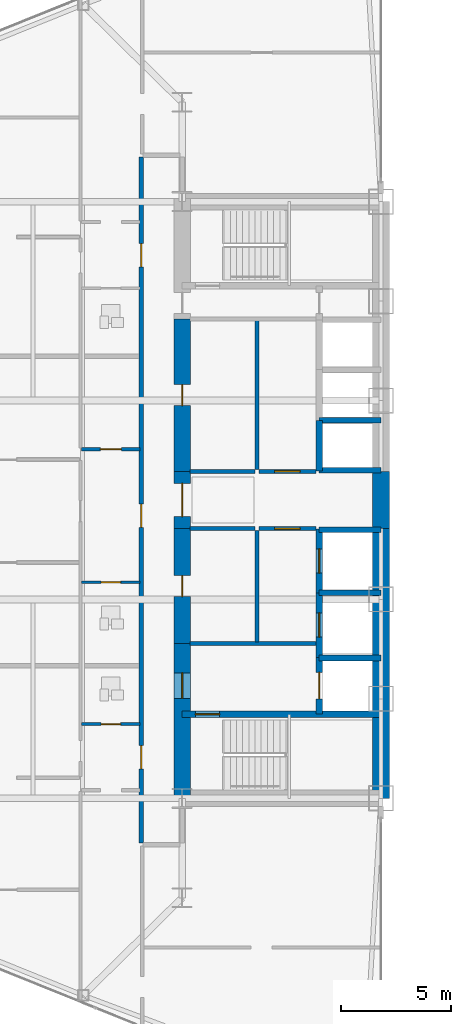
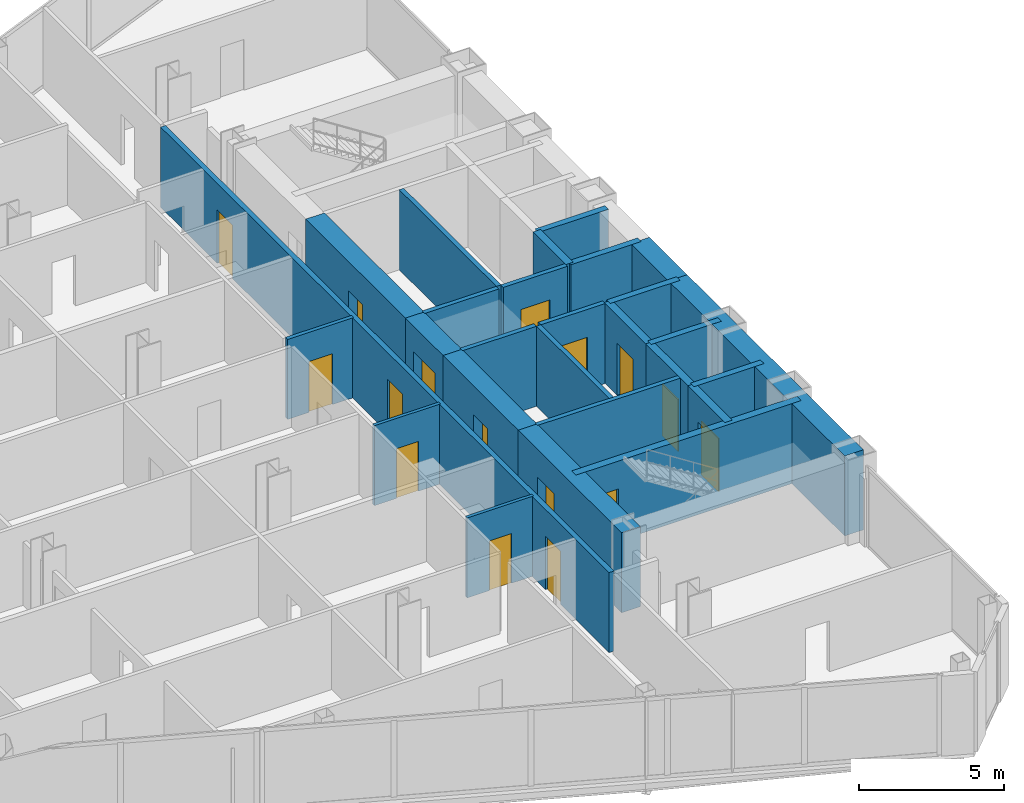
# One storey, part 18 of 25: 27 walls, 16 doors, 16 openings.
"""IFC4 building model written with IfcOpenShell, lengths in metres."""

import ifcopenshell
import ifcopenshell.guid

model = None  # the IFC model being written
_history = None  # IfcOwnerHistory: only IFC2X3 demands one
_inside = {}  # id of a spatial element -> (the spatial element, [elements in it])
_under = {}  # id of a project, library or spatial element -> (it, [spatial elements below it])
_declared = {}  # id of a project -> (the project, [libraries it declares])
_typed = {}  # id of a type object -> (the type object, [elements of that type])
_made_of = {}  # id of a material, layer set ... -> (it, [elements and type objects made of it])


def new_model(schema):
    """Start an empty IFC model of exactly this schema.

    Asked for "IFC4X3", IfcOpenShell would pick the latest addendum, in which some entities
    have other attributes; the version numbers below select the first issue.
    IFC2X3 requires an IfcOwnerHistory on every rooted entity: one is made here for all.
    """
    global model, _history
    if schema == "IFC4X3":
        model = ifcopenshell.file(schema_version=(4, 3, 0, 0))
    else:
        model = ifcopenshell.file(schema=schema)
    _inside.clear()
    _under.clear()
    _declared.clear()
    _typed.clear()
    _made_of.clear()
    _history = None
    if model.schema == "IFC2X3":
        org = make("IfcOrganization", Name="unknown")
        user = make(
            "IfcPersonAndOrganization",
            ThePerson=make("IfcPerson", FamilyName="unknown"),
            TheOrganization=org,
        )
        app = make(
            "IfcApplication",
            ApplicationDeveloper=org,
            Version="unknown",
            ApplicationFullName="unknown",
            ApplicationIdentifier="unknown",
        )
        _history = make(
            "IfcOwnerHistory",
            OwningUser=user,
            OwningApplication=app,
            ChangeAction="ADDED",
            CreationDate=0,
        )
    return model


def make(cls, **values):
    """One entity of the class cls with the attributes given. An attribute that is None is left unset."""
    return model.create_entity(
        cls, **{name: value for name, value in values.items() if value is not None}
    )


def rooted(cls, **values):
    """An entity with a GlobalId (a new one), such as an element, a storey or a relation."""
    return make(cls, GlobalId=ifcopenshell.guid.new(), OwnerHistory=_history, **values)


def si_unit(unit_type, name, prefix=None):
    """IfcSIUnit, for example si_unit("LENGTHUNIT", "METRE", prefix="MILLI")."""
    return make("IfcSIUnit", UnitType=unit_type, Prefix=prefix, Name=name)


def assignment(units):
    """IfcUnitAssignment: the units of a project."""
    return None if units is None else make("IfcUnitAssignment", Units=units)


def point(xyz):
    """IfcCartesianPoint."""
    return None if xyz is None else make("IfcCartesianPoint", Coordinates=xyz)


def direction(xyz):
    """IfcDirection."""
    return None if xyz is None else make("IfcDirection", DirectionRatios=xyz)


def frame(location, z_axis=None, x_axis=None):
    """IfcAxis2Placement3D, a coordinate frame: its origin and axes. An axis left out is left unset."""
    return make(
        "IfcAxis2Placement3D",
        Location=point(location),
        Axis=direction(z_axis),
        RefDirection=direction(x_axis),
    )


def frame_2d(location, x_axis=None):
    """IfcAxis2Placement2D, a coordinate frame in the plane: its origin and x axis."""
    return make(
        "IfcAxis2Placement2D", Location=point(location), RefDirection=direction(x_axis)
    )


def origin():
    """The frame at (0, 0, 0) with its axes left unset."""
    return frame((0.0, 0.0, 0.0))


def place(relative_to, where):
    """IfcLocalPlacement: puts the frame where relative to a parent placement (None: the world)."""
    return make(
        "IfcLocalPlacement", PlacementRelTo=relative_to, RelativePlacement=where
    )


def context(
    kind, dimensions, precision=None, world=None, true_north=None, identifier=None
):
    """IfcGeometricRepresentationContext, for example the 3D "Model" context."""
    return make(
        "IfcGeometricRepresentationContext",
        ContextIdentifier=identifier,
        ContextType=kind,
        CoordinateSpaceDimension=dimensions,
        Precision=precision,
        WorldCoordinateSystem=world,
        TrueNorth=true_north,
    )


def subcontext(parent, identifier, kind, view, scale=None):
    """IfcGeometricRepresentationSubContext, for example "Body" below "Model"."""
    return make(
        "IfcGeometricRepresentationSubContext",
        ContextIdentifier=identifier,
        ContextType=kind,
        ParentContext=parent,
        TargetScale=scale,
        TargetView=view,
    )


def project(units=None, contexts=None):
    """IfcProject with its units and contexts."""
    return rooted(
        "IfcProject",
        Name="project",
        RepresentationContexts=contexts,
        UnitsInContext=assignment(units),
    )


def spatial(cls, under=None, at=None, **own):
    """A site, building, storey or space (cls), placed at a placement, below another one or the project."""
    s = rooted(cls, ObjectPlacement=at, **own)
    if under is not None:
        _under.setdefault(under.id(), (under, []))[1].append(s)
    return s


def profile(cls, at=None, kind="AREA", **sizes):
    """A parametric profile (cls). Its sizes go by their IFC names, for example OverallWidth=200.0."""
    return make(cls, ProfileType=kind, Position=at, **sizes)


def rectangle(**sizes):
    """IfcRectangleProfileDef."""
    return profile("IfcRectangleProfileDef", **sizes)


def extrude(swept, where, along, depth):
    """IfcExtrudedAreaSolid: the profile swept, set in the frame where, extruded along a direction by depth."""
    return make(
        "IfcExtrudedAreaSolid",
        SweptArea=swept,
        Position=where,
        ExtrudedDirection=direction(along),
        Depth=depth,
    )


def shape(context_of_items, identifier, shape_type, items):
    """IfcShapeRepresentation: the items that make up one representation, for example the "Body"."""
    return make(
        "IfcShapeRepresentation",
        ContextOfItems=context_of_items,
        RepresentationIdentifier=identifier,
        RepresentationType=shape_type,
        Items=items,
    )


def source(mapping_origin, context_of_items, identifier, shape_type, items):
    """IfcRepresentationMap: a shape defined once, which mapped items show again and again."""
    return make(
        "IfcRepresentationMap",
        MappingOrigin=mapping_origin,
        MappedRepresentation=shape(context_of_items, identifier, shape_type, items),
    )


def transform(
    local_origin,
    x_axis=None,
    y_axis=None,
    z_axis=None,
    scale=None,
    scale2=None,
    scale3=None,
    uniform=True,
):
    """IfcCartesianTransformationOperator3D, or its non-uniform kind. x_axis, y_axis, z_axis: its Axis1, 2, 3."""
    if uniform:
        return make(
            "IfcCartesianTransformationOperator3D",
            Axis1=direction(x_axis),
            Axis2=direction(y_axis),
            LocalOrigin=point(local_origin),
            Scale=scale,
            Axis3=direction(z_axis),
        )
    return make(
        "IfcCartesianTransformationOperator3DnonUniform",
        Axis1=direction(x_axis),
        Axis2=direction(y_axis),
        LocalOrigin=point(local_origin),
        Scale=scale,
        Axis3=direction(z_axis),
        Scale2=scale2,
        Scale3=scale3,
    )


def mapped(mapping_source, mapping_target):
    """IfcMappedItem: shows the shape of a source again, moved by a transform."""
    return make(
        "IfcMappedItem", MappingSource=mapping_source, MappingTarget=mapping_target
    )


def material(Name=None, Category=None):
    """IfcMaterial."""
    return make("IfcMaterial", Name=Name, Category=Category)


def layer(
    of_material, thickness, ventilated=None, Name=None, Category=None, Priority=None
):
    """IfcMaterialLayer: one layer of a wall or slab, of a material (None: an air gap)."""
    return make(
        "IfcMaterialLayer",
        Material=of_material,
        LayerThickness=thickness,
        IsVentilated=ventilated,
        Name=Name,
        Category=Category,
        Priority=Priority,
    )


def layer_set(layers, Name=None):
    """IfcMaterialLayerSet."""
    return make("IfcMaterialLayerSet", MaterialLayers=layers, LayerSetName=Name)


def made_of(thing, what):
    """Note that an element or type object is made of a material, layer set ...; save() writes the relation."""
    if what is not None:
        _made_of.setdefault(what.id(), (what, []))[1].append(thing)
    return thing


def type_object(cls, material=None, **own):
    """A type object (cls), such as IfcWallType, which elements share."""
    return made_of(rooted(cls, **own), material)


def type_shapes(of_type, sources):
    """Give a type object the sources (RepresentationMaps) that its elements show as mapped items."""
    of_type.RepresentationMaps = sources


def element(
    cls,
    number,
    at=None,
    inside=None,
    cuts=None,
    type_object=None,
    material=None,
    context=None,
    identifier="Body",
    shape_type=None,
    held_by="IfcProductDefinitionShape",
    body=None,
    shapes=None,
    **own,
):
    """One element of the class cls, such as IfcWall. Its Tag is "e" and its number.

    at: its placement. inside: the storey or other place that contains it. cuts: it is an
    opening in that element (IfcRelVoidsElement). A single representation is given by context,
    identifier, shape_type and body (its items); several are given by shapes. held_by: the class
    of the entity that holds the representations. save() writes the other relations.
    """
    e = rooted(cls, Tag="e%d" % number, ObjectPlacement=at, **own)
    if body is not None:
        shapes = [shape(context, identifier, shape_type, body)]
    if shapes is not None:
        e.Representation = make(held_by, Representations=shapes)
    if inside is not None:
        _inside.setdefault(inside.id(), (inside, []))[1].append(e)
    if cuts is not None:
        rooted(
            "IfcRelVoidsElement", RelatingBuildingElement=cuts, RelatedOpeningElement=e
        )
    if type_object is not None:
        _typed.setdefault(type_object.id(), (type_object, []))[1].append(e)
    return made_of(e, material)


def fill(opening, filler):
    """IfcRelFillsElement: the door or window that sits in an opening."""
    return rooted(
        "IfcRelFillsElement",
        RelatingOpeningElement=opening,
        RelatedBuildingElement=filler,
    )


def aggregate(whole, parts):
    """IfcRelAggregates: a whole, such as a stair, and the parts it consists of."""
    return rooted("IfcRelAggregates", RelatingObject=whole, RelatedObjects=parts)


def save(model, path):
    """Write the relations noted so far, then the file.

    IfcRelAggregates (storeys below a building ...), IfcRelContainedInSpatialStructure (elements
    in a storey), IfcRelDefinesByType, IfcRelAssociatesMaterial and IfcRelDeclares: one each for
    every whole, place, type object, material and project.
    """
    for whole, parts in _under.values():
        aggregate(whole, parts)
    for where, things in _inside.values():
        rooted(
            "IfcRelContainedInSpatialStructure",
            RelatedElements=things,
            RelatingStructure=where,
        )
    for kind, things in _typed.values():
        rooted("IfcRelDefinesByType", RelatedObjects=things, RelatingType=kind)
    for what, things in _made_of.values():
        rooted("IfcRelAssociatesMaterial", RelatedObjects=things, RelatingMaterial=what)
    for by, libraries in _declared.values():
        rooted("IfcRelDeclares", RelatingContext=by, RelatedDefinitions=libraries)
    model.write(path)


model = new_model("IFC4")

# Units and contexts
model_context = context("Model", 3, precision=1e-05, world=origin(), true_north=direction((0.0, 1.0)))
body_context = subcontext(model_context, "Body", "Model", "MODEL_VIEW")
ifc_project = project(units=[si_unit("LENGTHUNIT", "METRE"), si_unit("AREAUNIT", "SQUARE_METRE"), si_unit("VOLUMEUNIT", "CUBIC_METRE"), si_unit("PLANEANGLEUNIT", "RADIAN"), si_unit("MASSUNIT", "GRAM", prefix="KILO")], contexts=[model_context])

# Site, building, storey
site_placement = place(None, origin())
site = spatial("IfcSite", under=ifc_project, at=site_placement, CompositionType="ELEMENT")
building_placement = place(site_placement, origin())
building = spatial("IfcBuilding", under=site, at=building_placement, Name="Seokmaru Belvedere", CompositionType="ELEMENT")
storey_placement = place(building_placement, frame((0.0, 0.0, 22.5)))
storey = spatial("IfcBuildingStorey", under=building, at=storey_placement, Name="L05", CompositionType="ELEMENT", Elevation=22.5)

# Wall, opening, door
ifc_material_1 = material(Name="Fire-Rated Gypsum Shaftwall")
ifc_layer_1 = layer(ifc_material_1, 0.14990234375)
ifc_layer_set_1 = layer_set([ifc_layer_1], Name="Fire-Rated Gypsum Shaftwall")
wall_type_1 = type_object("IfcWallType", Name="Apartment Fire-Acoustic Room Partition 150", PredefinedType="PARTITIONING", material=ifc_layer_set_1)
wall_1_placement = place(storey_placement, frame((-41.050048828125, 2.300048828125, 0.0), z_axis=(0.0, 0.0, 1.0), x_axis=(1.0, 0.0, 0.0)))
wall_1 = element("IfcWall", 1, at=wall_1_placement, inside=storey, type_object=wall_type_1, Name="L05 Interior Partition 022", PredefinedType="PARTITIONING", context=body_context, shape_type="SweptSolid", body=[
    extrude(rectangle(XDim=2.650146484375, YDim=0.14990234375, at=frame_2d((1.3251953125, 0.0))), origin(), (0.0, 0.0, 1.0), 3.3798828125),
])
opening_1_placement = place(wall_1_placement, frame((0.85009765625, 0.0, 0.0)))
opening_1 = element("IfcOpeningElement", 2, at=opening_1_placement, cuts=wall_1, Name="Opening D05", PredefinedType="OPENING", context=body_context, shape_type="SweptSolid", body=[
    extrude(rectangle(XDim=0.949951171875, YDim=2.14990234375, at=frame_2d((0.47509765625, 1.074951171875))), frame((0.0, 0.0849609375, 0.0), z_axis=(0.0, -1.0, 0.0), x_axis=(1.0, 0.0, 0.0)), (0.0, 0.0, 1.0), 0.169921875),
])
ifc_material_2 = material(Name="Engineered White Oak Timber", Category="wood")
door_type_1 = type_object("IfcDoorType", Name="Apartment Interior Fire-Rated Oak Door 950x2150", OperationType="NOTDEFINED", PredefinedType="DOOR", material=ifc_material_2)
shared_shape_1 = source(origin(), body_context, "Body", "SweptSolid", [
    extrude(rectangle(XDim=0.949951171875, YDim=2.14990234375, at=frame_2d((0.47509765625, 1.074951171875))), frame((0.0, 0.02490234375, 0.0), z_axis=(0.0, -1.0, 0.0), x_axis=(1.0, 0.0, 0.0)), (0.0, 0.0, 1.0), 0.050048828125),
])
type_shapes(door_type_1, [shared_shape_1])
door_1_placement = place(opening_1_placement, origin())
door_1 = element("IfcDoor", 3, at=door_1_placement, inside=storey, type_object=door_type_1, Name="L05 Interior Door 016", OperationType="SINGLE_SWING_LEFT", OverallHeight=2.14990234375, OverallWidth=0.949951171875, PredefinedType="DOOR", context=body_context, shape_type="MappedRepresentation", body=[
    mapped(shared_shape_1, transform((0.0, 0.0, 0.0), scale=1.0)),
])
fill(opening_1, door_1)

# Walls
ifc_layer_2 = layer(ifc_material_1, 0.179931640625)
ifc_layer_set_2 = layer_set([ifc_layer_2], Name="Fire-Rated Gypsum Shaftwall")
wall_type_2 = type_object("IfcWallType", Name="Core Service Fire Partition 180", PredefinedType="PARTITIONING", material=ifc_layer_set_2)
wall_2_placement = place(storey_placement, frame((-36.14990234375, -6.5, 0.0), z_axis=(0.0, 0.0, 1.0), x_axis=(1.0, 0.0, 0.0)))
element("IfcWall", 4, at=wall_2_placement, inside=storey, type_object=wall_type_2, Name="L05 West Firefighting Lobby Partition", PredefinedType="PARTITIONING", context=body_context, shape_type="SweptSolid", body=[
    extrude(rectangle(XDim=5.699951171875, YDim=0.179931640625, at=frame_2d((2.85009765625, 0.0))), origin(), (0.0, 0.0, 1.0), 3.3798828125),
])
wall_3_placement = place(storey_placement, frame((-33.10009765625, -6.419921875, 0.0), z_axis=(0.0, 0.0, 1.0), x_axis=(0.0, 1.0, 0.0)))
element("IfcWall", 5, at=wall_3_placement, inside=storey, type_object=wall_type_2, Name="L05 West South Core Service Back Wall", PredefinedType="PARTITIONING", context=body_context, shape_type="SweptSolid", body=[
    extrude(rectangle(XDim=5.0400390625, YDim=0.179931640625, at=frame_2d((2.52001953125, 0.0))), origin(), (0.0, 0.0, 1.0), 3.3798828125),
])
wall_4_placement = place(storey_placement, frame((-33.10009765625, 1.3798828125, 0.0), z_axis=(0.0, 0.0, 1.0), x_axis=(0.0, 1.0, 0.0)))
element("IfcWall", 6, at=wall_4_placement, inside=storey, type_object=wall_type_2, Name="L05 West North Core Service Back Wall", PredefinedType="PARTITIONING", context=body_context, shape_type="SweptSolid", body=[
    extrude(rectangle(XDim=6.740234375, YDim=0.179931640625, at=frame_2d((3.3701171875, 0.0))), origin(), (0.0, 0.0, 1.0), 3.3798828125),
])

# Wall, opening, door
wall_5_placement = place(storey_placement, frame((-33.02001953125, -1.300048828125, 0.0), z_axis=(0.0, 0.0, 1.0), x_axis=(1.0, 0.0, 0.0)))
wall_5 = element("IfcWall", 7, at=wall_5_placement, inside=storey, type_object=wall_type_2, Name="L05 West South Lift Lobby Foyer Wall", PredefinedType="PARTITIONING", context=body_context, shape_type="SweptSolid", body=[
    extrude(rectangle(XDim=2.570068359375, YDim=0.179931640625, at=frame_2d((1.28515625, 0.0))), origin(), (0.0, 0.0, 1.0), 3.3798828125),
])
opening_2_placement = place(wall_5_placement, frame((0.7099609375, 0.0, 0.0)))
opening_2 = element("IfcOpeningElement", 8, at=opening_2_placement, cuts=wall_5, Name="Opening D02", PredefinedType="OPENING", context=body_context, shape_type="SweptSolid", body=[
    extrude(rectangle(XDim=1.14990234375, YDim=2.199951171875, at=frame_2d((0.574951171875, 1.10009765625))), frame((0.0, 0.10009765625, 0.0), z_axis=(0.0, -1.0, 0.0), x_axis=(1.0, 0.0, 0.0)), (0.0, 0.0, 1.0), 0.199951171875),
])
ifc_material_3 = material(Name="Fire-Rated Steel Leaf", Category="steel")
door_type_2 = type_object("IfcDoorType", Name="Lobby and Vestibule Fire Door 1150x2200", OperationType="NOTDEFINED", PredefinedType="DOOR", material=ifc_material_3)
shared_shape_2 = source(origin(), body_context, "Body", "SweptSolid", [
    extrude(rectangle(XDim=1.14990234375, YDim=2.199951171875, at=frame_2d((0.574951171875, 1.10009765625))), frame((0.0, 0.02490234375, 0.0), z_axis=(0.0, -1.0, 0.0), x_axis=(1.0, 0.0, 0.0)), (0.0, 0.0, 1.0), 0.050048828125),
])
type_shapes(door_type_2, [shared_shape_2])
door_2_placement = place(opening_2_placement, origin())
door_2 = element("IfcDoor", 9, at=door_2_placement, inside=storey, type_object=door_type_2, Name="L05 West South Core Foyer Door", OperationType="SINGLE_SWING_LEFT", OverallHeight=2.199951171875, OverallWidth=1.14990234375, PredefinedType="DOOR", context=body_context, shape_type="MappedRepresentation", body=[
    mapped(shared_shape_2, transform((0.0, 0.0, 0.0), scale=1.0)),
])
fill(opening_2, door_2)

wall_6_placement = place(storey_placement, frame((-33.02001953125, 1.300048828125, 0.0), z_axis=(0.0, 0.0, 1.0), x_axis=(1.0, 0.0, 0.0)))
wall_6 = element("IfcWall", 10, at=wall_6_placement, inside=storey, type_object=wall_type_2, Name="L05 West North Lift Lobby Foyer Wall", PredefinedType="PARTITIONING", context=body_context, shape_type="SweptSolid", body=[
    extrude(rectangle(XDim=2.570068359375, YDim=0.179931640625, at=frame_2d((1.28515625, 0.0))), origin(), (0.0, 0.0, 1.0), 3.3798828125),
])
opening_3_placement = place(wall_6_placement, frame((0.7099609375, 0.0, 0.0)))
opening_3 = element("IfcOpeningElement", 11, at=opening_3_placement, cuts=wall_6, Name="Opening D02", PredefinedType="OPENING", context=body_context, shape_type="SweptSolid", body=[
    extrude(rectangle(XDim=1.14990234375, YDim=2.199951171875, at=frame_2d((0.574951171875, 1.10009765625))), frame((0.0, 0.10009765625, 0.0), z_axis=(0.0, -1.0, 0.0), x_axis=(1.0, 0.0, 0.0)), (0.0, 0.0, 1.0), 0.199951171875),
])
door_3_placement = place(opening_3_placement, origin())
door_3 = element("IfcDoor", 12, at=door_3_placement, inside=storey, type_object=door_type_2, Name="L05 West North Lift Lobby Door", OperationType="SINGLE_SWING_RIGHT", OverallHeight=2.199951171875, OverallWidth=1.14990234375, PredefinedType="DOOR", context=body_context, shape_type="MappedRepresentation", body=[
    mapped(shared_shape_2, transform((0.0, 0.0, 0.0), scale=1.0)),
])
fill(opening_3, door_3)

# Walls
for number, where, z_axis, x_axis, name in (
    (13, (-36.14990234375, -1.300048828125, 0.0), (0.0, 0.0, 1.0), (1.0, 0.0, 0.0), "L05 West Foyer Side Wall S"),
    (14, (-36.14990234375, 1.300048828125, 0.0), (0.0, 0.0, 1.0), (1.0, 0.0, 0.0), "L05 West Foyer Side Wall N"),
):
    element("IfcWall", number, at=place(storey_placement, frame(where, z_axis=z_axis, x_axis=x_axis)), inside=storey, type_object=wall_type_2, Name=name, PredefinedType="PARTITIONING", context=body_context, shape_type="SweptSolid", body=[
        extrude(rectangle(XDim=2.949951171875, YDim=0.179931640625, at=frame_2d((1.47509765625, 0.0))), origin(), (0.0, 0.0, 1.0), 3.3798828125),
    ])
ifc_material_4 = material(Name="Concrete C50 (50 MPa)", Category="concrete")
ifc_layer_3 = layer(ifc_material_4, 0.25)
ifc_layer_set_3 = layer_set([ifc_layer_3], Name="Concrete C50 (50 MPa)")
wall_type_3 = type_object("IfcWallType", Name="Hoistway Transverse Concrete Divider Wall 250", PredefinedType="SHEAR", material=ifc_layer_set_3)
for number, where, z_axis, x_axis, name in (
    (15, (-30.300048828125, -7.14990234375, 0.0), (0.0, 0.0, 1.0), (1.0, 0.0, 0.0), "L05 West Hoistway Divider Core Wall 1"),
    (16, (-30.300048828125, -4.199951171875, 0.0), (0.0, 0.0, 1.0), (1.0, 0.0, 0.0), "L05 West Hoistway Divider Core Wall 2"),
    (17, (-30.300048828125, -1.35009765625, 0.0), (0.0, 0.0, 1.0), (1.0, 0.0, 0.0), "L05 West Hoistway Divider Core Wall 3"),
    (18, (-30.300048828125, 1.35009765625, 0.0), (0.0, 0.0, 1.0), (1.0, 0.0, 0.0), "L05 West Hoistway Divider Core Wall 4"),
    (19, (-30.300048828125, 3.60009765625, 0.0), (0.0, 0.0, 1.0), (1.0, 0.0, 0.0), "L05 West Hoistway Divider Core Wall 5"),
):
    element("IfcWall", number, at=place(storey_placement, frame(where, z_axis=z_axis, x_axis=x_axis)), inside=storey, type_object=wall_type_3, Name=name, PredefinedType="SHEAR", context=body_context, shape_type="SweptSolid", body=[
        extrude(rectangle(XDim=2.800048828125, YDim=0.25, at=frame_2d((1.39990234375, 0.0))), origin(), (0.0, 0.0, 1.0), 3.3798828125),
    ])

# Wall, openings, doors
ifc_layer_4 = layer(ifc_material_1, 0.199951171875)
ifc_layer_set_4 = layer_set([ifc_layer_4], Name="Fire-Rated Gypsum Shaftwall")
wall_type_4 = type_object("IfcWallType", Name="Inter-Tenancy Fire Compartment Partition 200", PredefinedType="PARTITIONING", material=ifc_layer_set_4)
wall_7_placement = place(storey_placement, frame((-38.35009765625, -15.514892578125, 0.0), z_axis=(0.0, 0.0, 1.0), x_axis=(0.0, 1.0, 0.0)))
wall_7 = element("IfcWall", 20, at=wall_7_placement, inside=storey, type_object=wall_type_4, Name="L05 Interior Partition 045", PredefinedType="PARTITIONING", context=body_context, shape_type="SweptSolid", body=[
    extrude(rectangle(XDim=31.02978515625, YDim=0.199951171875, at=frame_2d((15.514892578125, 0.0))), origin(), (0.0, 0.0, 1.0), 3.3798828125),
])
opening_4_placement = place(wall_7_placement, frame((3.344970703125, 0.0, 0.0)))
opening_4 = element("IfcOpeningElement", 21, at=opening_4_placement, cuts=wall_7, Name="Opening D03", PredefinedType="OPENING", context=body_context, shape_type="SweptSolid", body=[
    extrude(rectangle(XDim=1.050048828125, YDim=2.25, at=frame_2d((0.52490234375, 1.125))), frame((0.0, 0.10986328125, 0.0), z_axis=(0.0, -1.0, 0.0), x_axis=(1.0, 0.0, 0.0)), (0.0, 0.0, 1.0), 0.219970703125),
])
opening_5_placement = place(wall_7_placement, frame((14.280029296875, 0.0, 0.0)))
opening_5 = element("IfcOpeningElement", 22, at=opening_5_placement, cuts=wall_7, Name="Opening D03", PredefinedType="OPENING", context=body_context, shape_type="SweptSolid", body=[
    extrude(rectangle(XDim=1.050048828125, YDim=2.25, at=frame_2d((0.52490234375, 1.125))), frame((0.0, 0.10986328125, 0.0), z_axis=(0.0, -1.0, 0.0), x_axis=(1.0, 0.0, 0.0)), (0.0, 0.0, 1.0), 0.219970703125),
])
opening_6_placement = place(wall_7_placement, frame((26.0673828125, 0.0, 0.0)))
opening_6 = element("IfcOpeningElement", 23, at=opening_6_placement, cuts=wall_7, Name="Opening D03", PredefinedType="OPENING", context=body_context, shape_type="SweptSolid", body=[
    extrude(rectangle(XDim=1.050048828125, YDim=2.25, at=frame_2d((0.52490234375, 1.125))), frame((0.0, 0.10986328125, 0.0), z_axis=(0.0, -1.0, 0.0), x_axis=(1.0, 0.0, 0.0)), (0.0, 0.0, 1.0), 0.219970703125),
])
door_type_3 = type_object("IfcDoorType", Name="Apartment Entrance Fire Door 1050x2250", OperationType="NOTDEFINED", PredefinedType="DOOR", material=ifc_material_3)
shared_shape_3 = source(origin(), body_context, "Body", "SweptSolid", [
    extrude(rectangle(XDim=1.050048828125, YDim=2.25, at=frame_2d((0.52490234375, 1.125))), frame((0.0, 0.02490234375, 0.0), z_axis=(0.0, -1.0, 0.0), x_axis=(1.0, 0.0, 0.0)), (0.0, 0.0, 1.0), 0.050048828125),
])
type_shapes(door_type_3, [shared_shape_3])
door_4_placement = place(opening_4_placement, origin())
door_4 = element("IfcDoor", 24, at=door_4_placement, inside=storey, type_object=door_type_3, Name="L05 Interior Door 001", OperationType="SINGLE_SWING_RIGHT", OverallHeight=2.25, OverallWidth=1.050048828125, PredefinedType="DOOR", context=body_context, shape_type="MappedRepresentation", body=[
    mapped(shared_shape_3, transform((0.0, 0.0, 0.0), scale=1.0)),
])
fill(opening_4, door_4)
door_5_placement = place(opening_5_placement, origin())
door_5 = element("IfcDoor", 25, at=door_5_placement, inside=storey, type_object=door_type_3, Name="L05 Interior Door 014", OperationType="SINGLE_SWING_LEFT", OverallHeight=2.25, OverallWidth=1.050048828125, PredefinedType="DOOR", context=body_context, shape_type="MappedRepresentation", body=[
    mapped(shared_shape_3, transform((0.0, 0.0, 0.0), scale=1.0)),
])
fill(opening_5, door_5)
door_6_placement = place(opening_6_placement, origin())
door_6 = element("IfcDoor", 26, at=door_6_placement, inside=storey, type_object=door_type_3, Name="L05 Interior Door 029", OperationType="SINGLE_SWING_RIGHT", OverallHeight=2.25, OverallWidth=1.050048828125, PredefinedType="DOOR", context=body_context, shape_type="MappedRepresentation", body=[
    mapped(shared_shape_3, transform((0.0, 0.0, 0.0), scale=1.0)),
])
fill(opening_6, door_6)

# Wall, opening, door
ifc_layer_5 = layer(ifc_material_4, 0.300048828125)
ifc_layer_set_5 = layer_set([ifc_layer_5], Name="Concrete C50 (50 MPa)")
wall_type_5 = type_object("IfcWallType", Name="Internal Core Stair and Hoistway Wall 300", PredefinedType="SHEAR", material=ifc_layer_set_5)
wall_8_placement = place(storey_placement, frame((-36.5, -9.699951171875, 0.0), z_axis=(0.0, 0.0, 1.0), x_axis=(1.0, 0.0, 0.0)))
wall_8 = element("IfcWall", 27, at=wall_8_placement, inside=storey, type_object=wall_type_5, Name="L05 West Stair ST-1 Enclosure Wall", PredefinedType="SHEAR", context=body_context, shape_type="SweptSolid", body=[
    extrude(rectangle(XDim=9.0, YDim=0.300048828125, at=frame_2d((4.5, 0.0))), origin(), (0.0, 0.0, 1.0), 3.3798828125),
])
opening_7_placement = place(wall_8_placement, frame((0.60009765625, 0.0, 0.0)))
opening_7 = element("IfcOpeningElement", 28, at=opening_7_placement, cuts=wall_8, Name="Opening D01", PredefinedType="OPENING", context=body_context, shape_type="SweptSolid", body=[
    extrude(rectangle(XDim=1.10009765625, YDim=2.199951171875, at=frame_2d((0.550048828125, 1.10009765625))), frame((0.0, 0.16015625, 0.0), z_axis=(0.0, -1.0, 0.0), x_axis=(1.0, 0.0, 0.0)), (0.0, 0.0, 1.0), 0.320068359375),
])
door_type_4 = type_object("IfcDoorType", Name="Special Escape Stair Smokeproof Fire Door 1100x2200", OperationType="NOTDEFINED", PredefinedType="DOOR", material=ifc_material_3)
shared_shape_4 = source(origin(), body_context, "Body", "SweptSolid", [
    extrude(rectangle(XDim=1.10009765625, YDim=2.199951171875, at=frame_2d((0.550048828125, 1.10009765625))), frame((0.0, 0.02490234375, 0.0), z_axis=(0.0, -1.0, 0.0), x_axis=(1.0, 0.0, 0.0)), (0.0, 0.0, 1.0), 0.050048828125),
])
type_shapes(door_type_4, [shared_shape_4])
door_7_placement = place(opening_7_placement, frame((1.10009765625, 0.0, 0.0), z_axis=(0.0, 0.0, 1.0), x_axis=(-1.0, 0.0, 0.0)))
door_7 = element("IfcDoor", 29, at=door_7_placement, inside=storey, type_object=door_type_4, Name="L05 West Special Escape Stair ST-1 Door", OperationType="SINGLE_SWING_LEFT", OverallHeight=2.199951171875, OverallWidth=1.10009765625, PredefinedType="DOOR", context=body_context, shape_type="MappedRepresentation", body=[
    mapped(shared_shape_4, transform((0.0, 0.0, 0.0), scale=1.0)),
])
fill(opening_7, door_7)

wall_9_placement = place(storey_placement, frame((-30.300048828125, -9.679931640625, 0.0), z_axis=(0.0, 0.0, 1.0), x_axis=(0.0, 1.0, 0.0)))
wall_9 = element("IfcWall", 30, at=wall_9_placement, inside=storey, type_object=wall_type_5, Name="L05 West Firefighting Lift Shaft Front Wall", PredefinedType="SHEAR", context=body_context, shape_type="SweptSolid", body=[
    extrude(rectangle(XDim=2.559814453125, YDim=0.300048828125, at=frame_2d((1.27978515625, 0.0))), origin(), (0.0, 0.0, 1.0), 3.3798828125),
])
opening_8_placement = place(wall_9_placement, frame((0.679931640625, 0.0, 0.0)))
opening_8 = element("IfcOpeningElement", 31, at=opening_8_placement, cuts=wall_9, Name="Opening LD2", PredefinedType="OPENING", context=body_context, shape_type="SweptSolid", body=[
    extrude(rectangle(XDim=1.199951171875, YDim=2.25, at=frame_2d((0.60009765625, 1.125))), frame((0.0, 0.16015625, 0.0), z_axis=(0.0, -1.0, 0.0), x_axis=(1.0, 0.0, 0.0)), (0.0, 0.0, 1.0), 0.320068359375),
])
ifc_material_5 = material(Name="Stainless Steel 316", Category="steel")
door_type_5 = type_object("IfcDoorType", Name="Firefighting Lift Sliding Landing Door 1200x2250", OperationType="DOUBLE_DOOR_SLIDING", PredefinedType="DOOR", material=ifc_material_5)
shared_shape_5 = source(origin(), body_context, "Body", "SweptSolid", [
    extrude(rectangle(XDim=1.199951171875, YDim=2.25, at=frame_2d((0.60009765625, 1.125))), frame((0.0, 0.02490234375, 0.0), z_axis=(0.0, -1.0, 0.0), x_axis=(1.0, 0.0, 0.0)), (0.0, 0.0, 1.0), 0.050048828125),
])
type_shapes(door_type_5, [shared_shape_5])
door_8_placement = place(opening_8_placement, origin())
door_8 = element("IfcDoor", 32, at=door_8_placement, inside=storey, type_object=door_type_5, Name="L05 West Firefighting Lift Landing Door", OperationType="DOUBLE_DOOR_SLIDING", OverallHeight=2.25, OverallWidth=1.199951171875, PredefinedType="DOOR", context=body_context, shape_type="MappedRepresentation", body=[
    mapped(shared_shape_5, transform((0.0, 0.0, 0.0), scale=1.0)),
])
fill(opening_8, door_8)

wall_10_placement = place(storey_placement, frame((-30.300048828125, -7.1201171875, 0.0), z_axis=(0.0, 0.0, 1.0), x_axis=(0.0, 1.0, 0.0)))
wall_10 = element("IfcWall", 33, at=wall_10_placement, inside=storey, type_object=wall_type_5, Name="L05 West Low-Rise Lift PL-1 Front Wall", PredefinedType="SHEAR", context=body_context, shape_type="SweptSolid", body=[
    extrude(rectangle(XDim=2.920166015625, YDim=0.300048828125, at=frame_2d((1.4599609375, 0.0))), origin(), (0.0, 0.0, 1.0), 3.3798828125),
])
opening_9_placement = place(wall_10_placement, frame((0.909912109375, 0.0, 0.0)))
opening_9 = element("IfcOpeningElement", 34, at=opening_9_placement, cuts=wall_10, Name="Opening LD1", PredefinedType="OPENING", context=body_context, shape_type="SweptSolid", body=[
    extrude(rectangle(XDim=1.10009765625, YDim=2.199951171875, at=frame_2d((0.550048828125, 1.10009765625))), frame((0.0, 0.16015625, 0.0), z_axis=(0.0, -1.0, 0.0), x_axis=(1.0, 0.0, 0.0)), (0.0, 0.0, 1.0), 0.320068359375),
])
door_type_6 = type_object("IfcDoorType", Name="Passenger Lift Sliding Landing Door 1100x2200", OperationType="DOUBLE_DOOR_SLIDING", PredefinedType="DOOR", material=ifc_material_5)
shared_shape_6 = source(origin(), body_context, "Body", "SweptSolid", [
    extrude(rectangle(XDim=1.10009765625, YDim=2.199951171875, at=frame_2d((0.550048828125, 1.10009765625))), frame((0.0, 0.02490234375, 0.0), z_axis=(0.0, -1.0, 0.0), x_axis=(1.0, 0.0, 0.0)), (0.0, 0.0, 1.0), 0.050048828125),
])
type_shapes(door_type_6, [shared_shape_6])
door_9_placement = place(opening_9_placement, origin())
door_9 = element("IfcDoor", 35, at=door_9_placement, inside=storey, type_object=door_type_6, Name="L05 West Low-Rise Lift PL-1 Landing Door", OperationType="DOUBLE_DOOR_SLIDING", OverallHeight=2.199951171875, OverallWidth=1.10009765625, PredefinedType="DOOR", context=body_context, shape_type="MappedRepresentation", body=[
    mapped(shared_shape_6, transform((0.0, 0.0, 0.0), scale=1.0)),
])
fill(opening_9, door_9)

wall_11_placement = place(storey_placement, frame((-30.300048828125, -4.199951171875, 0.0), z_axis=(0.0, 0.0, 1.0), x_axis=(0.0, 1.0, 0.0)))
wall_11 = element("IfcWall", 36, at=wall_11_placement, inside=storey, type_object=wall_type_5, Name="L05 West Low-Rise Lift PL-2 Front Wall", PredefinedType="SHEAR", context=body_context, shape_type="SweptSolid", body=[
    extrude(rectangle(XDim=2.8798828125, YDim=0.300048828125, at=frame_2d((1.43994140625, 0.0))), origin(), (0.0, 0.0, 1.0), 3.3798828125),
])
opening_10_placement = place(wall_11_placement, frame((0.889892578125, 0.0, 0.0)))
opening_10 = element("IfcOpeningElement", 37, at=opening_10_placement, cuts=wall_11, Name="Opening LD1", PredefinedType="OPENING", context=body_context, shape_type="SweptSolid", body=[
    extrude(rectangle(XDim=1.10009765625, YDim=2.199951171875, at=frame_2d((0.550048828125, 1.10009765625))), frame((0.0, 0.16015625, 0.0), z_axis=(0.0, -1.0, 0.0), x_axis=(1.0, 0.0, 0.0)), (0.0, 0.0, 1.0), 0.320068359375),
])
door_10_placement = place(opening_10_placement, origin())
door_10 = element("IfcDoor", 38, at=door_10_placement, inside=storey, type_object=door_type_6, Name="L05 West Low-Rise Lift PL-2 Landing Door", OperationType="DOUBLE_DOOR_SLIDING", OverallHeight=2.199951171875, OverallWidth=1.10009765625, PredefinedType="DOOR", context=body_context, shape_type="MappedRepresentation", body=[
    mapped(shared_shape_6, transform((0.0, 0.0, 0.0), scale=1.0)),
])
fill(opening_10, door_10)

# Walls
wall_12_placement = place(storey_placement, frame((-30.300048828125, 1.320068359375, 0.0), z_axis=(0.0, 0.0, 1.0), x_axis=(0.0, 1.0, 0.0)))
element("IfcWall", 39, at=wall_12_placement, inside=storey, type_object=wall_type_5, Name="L05 West North Hoistway Wall PH1", PredefinedType="SHEAR", context=body_context, shape_type="SweptSolid", body=[
    extrude(rectangle(XDim=2.280029296875, YDim=0.300048828125, at=frame_2d((1.14013671875, 0.0))), origin(), (0.0, 0.0, 1.0), 3.3798828125),
])
ifc_material_6 = material(Name="Concrete C60 (60 MPa)", Category="concrete")
ifc_layer_6 = layer(ifc_material_6, 0.75)
ifc_layer_set_6 = layer_set([ifc_layer_6], Name="Concrete C60 (60 MPa)")
wall_type_6 = type_object("IfcWallType", Name="Lower Tower Reinforced Concrete Core Wall 750", PredefinedType="SHEAR", material=ifc_layer_set_6)
wall_13_placement = place(storey_placement, frame((-27.5, -13.5, 0.0), z_axis=(0.0, 0.0, 1.0), x_axis=(0.0, 1.0, 0.0)))
element("IfcWall", 40, at=wall_13_placement, inside=storey, type_object=wall_type_6, Name="L05 West Portal Spine Core Wall South", PredefinedType="SHEAR", context=body_context, shape_type="SweptSolid", body=[
    extrude(rectangle(XDim=12.199951171875, YDim=0.75, at=frame_2d((6.10009765625, 0.0))), origin(), (0.0, 0.0, 1.0), 3.3798828125),
])
wall_14_placement = place(storey_placement, frame((-27.5, -1.300048828125, 0.0), z_axis=(0.0, 0.0, 1.0), x_axis=(0.0, 1.0, 0.0)))
element("IfcWall", 41, at=wall_14_placement, inside=storey, type_object=wall_type_6, Name="L05 West Portal Spine Core Wall Center", PredefinedType="SHEAR", context=body_context, shape_type="SweptSolid", body=[
    extrude(rectangle(XDim=2.60009765625, YDim=0.75, at=frame_2d((1.300048828125, 0.0))), origin(), (0.0, 0.0, 1.0), 3.3798828125),
])

# Wall, opening, door
wall_15_placement = place(storey_placement, frame((-36.5, -13.64990234375, 0.0), z_axis=(0.0, 0.0, 1.0), x_axis=(0.0, 1.0, 0.0)))
wall_15 = element("IfcWall", 42, at=wall_15_placement, inside=storey, type_object=wall_type_6, Name="L05 West West Core Wall FF", PredefinedType="SHEAR", context=body_context, shape_type="SweptSolid", body=[
    extrude(rectangle(XDim=7.14990234375, YDim=0.75, at=frame_2d((3.574951171875, 0.0))), origin(), (0.0, 0.0, 1.0), 3.3798828125),
])
opening_11_placement = place(wall_15_placement, frame((4.675048828125, 0.0, 0.0)))
opening_11 = element("IfcOpeningElement", 43, at=opening_11_placement, cuts=wall_15, Name="Opening D02", PredefinedType="OPENING", context=body_context, shape_type="SweptSolid", body=[
    extrude(rectangle(XDim=1.14990234375, YDim=2.199951171875, at=frame_2d((0.574951171875, 1.10009765625))), frame((0.0, 0.385009765625, 0.0), z_axis=(0.0, -1.0, 0.0), x_axis=(1.0, 0.0, 0.0)), (0.0, 0.0, 1.0), 0.77001953125),
])
door_11_placement = place(opening_11_placement, frame((1.14990234375, 0.0, 0.0), z_axis=(0.0, 0.0, 1.0), x_axis=(-1.0, 0.0, 0.0)))
door_11 = element("IfcDoor", 44, at=door_11_placement, inside=storey, type_object=door_type_2, Name="L05 West Firefighting Lobby Door", OperationType="SINGLE_SWING_LEFT", OverallHeight=2.199951171875, OverallWidth=1.14990234375, PredefinedType="DOOR", context=body_context, shape_type="MappedRepresentation", body=[
    mapped(shared_shape_2, transform((0.0, 0.0, 0.0), scale=1.0)),
])
fill(opening_11, door_11)

wall_16_placement = place(storey_placement, frame((-36.5, -1.300048828125, 0.0), z_axis=(0.0, 0.0, 1.0), x_axis=(0.0, 1.0, 0.0)))
wall_16 = element("IfcWall", 45, at=wall_16_placement, inside=storey, type_object=wall_type_6, Name="L05 West West Core Wall FOY", PredefinedType="SHEAR", context=body_context, shape_type="SweptSolid", body=[
    extrude(rectangle(XDim=2.60009765625, YDim=0.75, at=frame_2d((1.300048828125, 0.0))), origin(), (0.0, 0.0, 1.0), 3.3798828125),
])
opening_12_placement = place(wall_16_placement, frame((0.550048828125, 0.0, 0.0)))
opening_12 = element("IfcOpeningElement", 46, at=opening_12_placement, cuts=wall_16, Name="Opening D08", PredefinedType="OPENING", context=body_context, shape_type="SweptSolid", body=[
    extrude(rectangle(XDim=1.5, YDim=2.300048828125, at=frame_2d((0.75, 1.14990234375))), frame((0.0, 0.385009765625, 0.0), z_axis=(0.0, -1.0, 0.0), x_axis=(1.0, 0.0, 0.0)), (0.0, 0.0, 1.0), 0.77001953125),
])
door_type_7 = type_object("IfcDoorType", Name="Cross-Corridor Compartment Double Fire Door 1500x2300", OperationType="DOUBLE_SWING_LEFT", PredefinedType="DOOR", material=ifc_material_3)
shared_shape_7 = source(origin(), body_context, "Body", "SweptSolid", [
    extrude(rectangle(XDim=1.5, YDim=2.300048828125, at=frame_2d((0.75, 1.14990234375))), frame((0.0, 0.02490234375, 0.0), z_axis=(0.0, -1.0, 0.0), x_axis=(1.0, 0.0, 0.0)), (0.0, 0.0, 1.0), 0.050048828125),
])
type_shapes(door_type_7, [shared_shape_7])
door_12_placement = place(opening_12_placement, origin())
door_12 = element("IfcDoor", 47, at=door_12_placement, inside=storey, type_object=door_type_7, Name="L05 West Core Foyer Compartment Door", OperationType="DOUBLE_SWING_LEFT", OverallHeight=2.300048828125, OverallWidth=1.5, PredefinedType="DOOR", context=body_context, shape_type="MappedRepresentation", body=[
    mapped(shared_shape_7, transform((0.0, 0.0, 0.0), scale=1.0)),
])
fill(opening_12, door_12)

wall_17_placement = place(storey_placement, frame((-36.5, -6.5, 0.0), z_axis=(0.0, 0.0, 1.0), x_axis=(0.0, 1.0, 0.0)))
wall_17 = element("IfcWall", 48, at=wall_17_placement, inside=storey, type_object=wall_type_6, Name="L05 West West Core Wall CS1", PredefinedType="SHEAR", context=body_context, shape_type="SweptSolid", body=[
    extrude(rectangle(XDim=5.199951171875, YDim=0.75, at=frame_2d((2.60009765625, 0.0))), origin(), (0.0, 0.0, 1.0), 3.3798828125),
])
opening_13_placement = place(wall_17_placement, frame((2.125, 0.0, 0.0)))
opening_13 = element("IfcOpeningElement", 49, at=opening_13_placement, cuts=wall_17, Name="Opening D04", PredefinedType="OPENING", context=body_context, shape_type="SweptSolid", body=[
    extrude(rectangle(XDim=0.949951171875, YDim=2.14990234375, at=frame_2d((0.47509765625, 1.074951171875))), frame((0.0, 0.385009765625, 0.0), z_axis=(0.0, -1.0, 0.0), x_axis=(1.0, 0.0, 0.0)), (0.0, 0.0, 1.0), 0.77001953125),
])
door_type_8 = type_object("IfcDoorType", Name="Core Service Room Fire Door 950x2150", OperationType="NOTDEFINED", PredefinedType="DOOR", material=ifc_material_3)
shared_shape_8 = source(origin(), body_context, "Body", "SweptSolid", [
    extrude(rectangle(XDim=0.949951171875, YDim=2.14990234375, at=frame_2d((0.47509765625, 1.074951171875))), frame((0.0, 0.02490234375, 0.0), z_axis=(0.0, -1.0, 0.0), x_axis=(1.0, 0.0, 0.0)), (0.0, 0.0, 1.0), 0.050048828125),
])
type_shapes(door_type_8, [shared_shape_8])
door_13_placement = place(opening_13_placement, origin())
door_13 = element("IfcDoor", 50, at=door_13_placement, inside=storey, type_object=door_type_8, Name="L05 West Core Service Room Door 1", OperationType="SINGLE_SWING_LEFT", OverallHeight=2.14990234375, OverallWidth=0.949951171875, PredefinedType="DOOR", context=body_context, shape_type="MappedRepresentation", body=[
    mapped(shared_shape_8, transform((0.0, 0.0, 0.0), scale=1.0)),
])
fill(opening_13, door_13)

wall_18_placement = place(storey_placement, frame((-36.5, 1.300048828125, 0.0), z_axis=(0.0, 0.0, 1.0), x_axis=(0.0, 1.0, 0.0)))
wall_18 = element("IfcWall", 51, at=wall_18_placement, inside=storey, type_object=wall_type_6, Name="L05 West West Core Wall CS2", PredefinedType="SHEAR", context=body_context, shape_type="SweptSolid", body=[
    extrude(rectangle(XDim=6.89990234375, YDim=0.75, at=frame_2d((3.449951171875, 0.0))), origin(), (0.0, 0.0, 1.0), 3.3798828125),
])
opening_14_placement = place(wall_18_placement, frame((2.97509765625, 0.0, 0.0)))
opening_14 = element("IfcOpeningElement", 52, at=opening_14_placement, cuts=wall_18, Name="Opening D04", PredefinedType="OPENING", context=body_context, shape_type="SweptSolid", body=[
    extrude(rectangle(XDim=0.949951171875, YDim=2.14990234375, at=frame_2d((0.47509765625, 1.074951171875))), frame((0.0, 0.385009765625, 0.0), z_axis=(0.0, -1.0, 0.0), x_axis=(1.0, 0.0, 0.0)), (0.0, 0.0, 1.0), 0.77001953125),
])
door_14_placement = place(opening_14_placement, origin())
door_14 = element("IfcDoor", 53, at=door_14_placement, inside=storey, type_object=door_type_8, Name="L05 West Core Service Room Door 2", OperationType="SINGLE_SWING_RIGHT", OverallHeight=2.14990234375, OverallWidth=0.949951171875, PredefinedType="DOOR", context=body_context, shape_type="MappedRepresentation", body=[
    mapped(shared_shape_8, transform((0.0, 0.0, 0.0), scale=1.0)),
])
fill(opening_14, door_14)

ifc_layer_7 = layer(ifc_material_1, 0.1298828125)
ifc_layer_set_7 = layer_set([ifc_layer_7], Name="Fire-Rated Gypsum Shaftwall")
wall_type_7 = type_object("IfcWallType", Name="Moisture-Resistant Fire-Rated Bathroom Partition 130", PredefinedType="PARTITIONING", material=ifc_layer_set_7)
wall_19_placement = place(storey_placement, frame((-41.050048828125, -10.139892578125, 0.0), z_axis=(0.0, 0.0, 1.0), x_axis=(1.0, 0.0, 0.0)))
wall_19 = element("IfcWall", 54, at=wall_19_placement, inside=storey, type_object=wall_type_7, Name="L05 Interior Partition 012", PredefinedType="PARTITIONING", context=body_context, shape_type="SweptSolid", body=[
    extrude(rectangle(XDim=2.650146484375, YDim=0.1298828125, at=frame_2d((1.3251953125, 0.0))), origin(), (0.0, 0.0, 1.0), 3.3798828125),
])
opening_15_placement = place(wall_19_placement, frame((0.885009765625, 0.0, 0.0)))
opening_15 = element("IfcOpeningElement", 55, at=opening_15_placement, cuts=wall_19, Name="Opening D06", PredefinedType="OPENING", context=body_context, shape_type="SweptSolid", body=[
    extrude(rectangle(XDim=0.8798828125, YDim=2.10009765625, at=frame_2d((0.43994140625, 1.050048828125))), frame((0.0, 0.074951171875, 0.0), z_axis=(0.0, -1.0, 0.0), x_axis=(1.0, 0.0, 0.0)), (0.0, 0.0, 1.0), 0.14990234375),
])
door_type_9 = type_object("IfcDoorType", Name="Bathroom and Restroom Fire-Rated Door 880x2100", OperationType="NOTDEFINED", PredefinedType="DOOR", material=ifc_material_2)
shared_shape_9 = source(origin(), body_context, "Body", "SweptSolid", [
    extrude(rectangle(XDim=0.8798828125, YDim=2.10009765625, at=frame_2d((0.43994140625, 1.050048828125))), frame((0.0, 0.02490234375, 0.0), z_axis=(0.0, -1.0, 0.0), x_axis=(1.0, 0.0, 0.0)), (0.0, 0.0, 1.0), 0.050048828125),
])
type_shapes(door_type_9, [shared_shape_9])
door_15_placement = place(opening_15_placement, origin())
door_15 = element("IfcDoor", 56, at=door_15_placement, inside=storey, type_object=door_type_9, Name="L05 Interior Door 002", OperationType="SINGLE_SWING_LEFT", OverallHeight=2.10009765625, OverallWidth=0.8798828125, PredefinedType="DOOR", context=body_context, shape_type="MappedRepresentation", body=[
    mapped(shared_shape_9, transform((0.0, 0.0, 0.0), scale=1.0)),
])
fill(opening_15, door_15)

wall_20_placement = place(storey_placement, frame((-41.050048828125, -3.719970703125, 0.0), z_axis=(0.0, 0.0, 1.0), x_axis=(1.0, 0.0, 0.0)))
wall_20 = element("IfcWall", 57, at=wall_20_placement, inside=storey, type_object=wall_type_7, Name="L05 Interior Partition 017", PredefinedType="PARTITIONING", context=body_context, shape_type="SweptSolid", body=[
    extrude(rectangle(XDim=2.650146484375, YDim=0.1298828125, at=frame_2d((1.3251953125, 0.0))), origin(), (0.0, 0.0, 1.0), 3.3798828125),
])
opening_16_placement = place(wall_20_placement, frame((0.885009765625, 0.0, 0.0)))
opening_16 = element("IfcOpeningElement", 58, at=opening_16_placement, cuts=wall_20, Name="Opening D06", PredefinedType="OPENING", context=body_context, shape_type="SweptSolid", body=[
    extrude(rectangle(XDim=0.8798828125, YDim=2.10009765625, at=frame_2d((0.43994140625, 1.050048828125))), frame((0.0, 0.074951171875, 0.0), z_axis=(0.0, -1.0, 0.0), x_axis=(1.0, 0.0, 0.0)), (0.0, 0.0, 1.0), 0.14990234375),
])
door_16_placement = place(opening_16_placement, origin())
door_16 = element("IfcDoor", 59, at=door_16_placement, inside=storey, type_object=door_type_9, Name="L05 Interior Door 015", OperationType="SINGLE_SWING_LEFT", OverallHeight=2.10009765625, OverallWidth=0.8798828125, PredefinedType="DOOR", context=body_context, shape_type="MappedRepresentation", body=[
    mapped(shared_shape_9, transform((0.0, 0.0, 0.0), scale=1.0)),
])
fill(opening_16, door_16)

save(model, "model.ifc")
